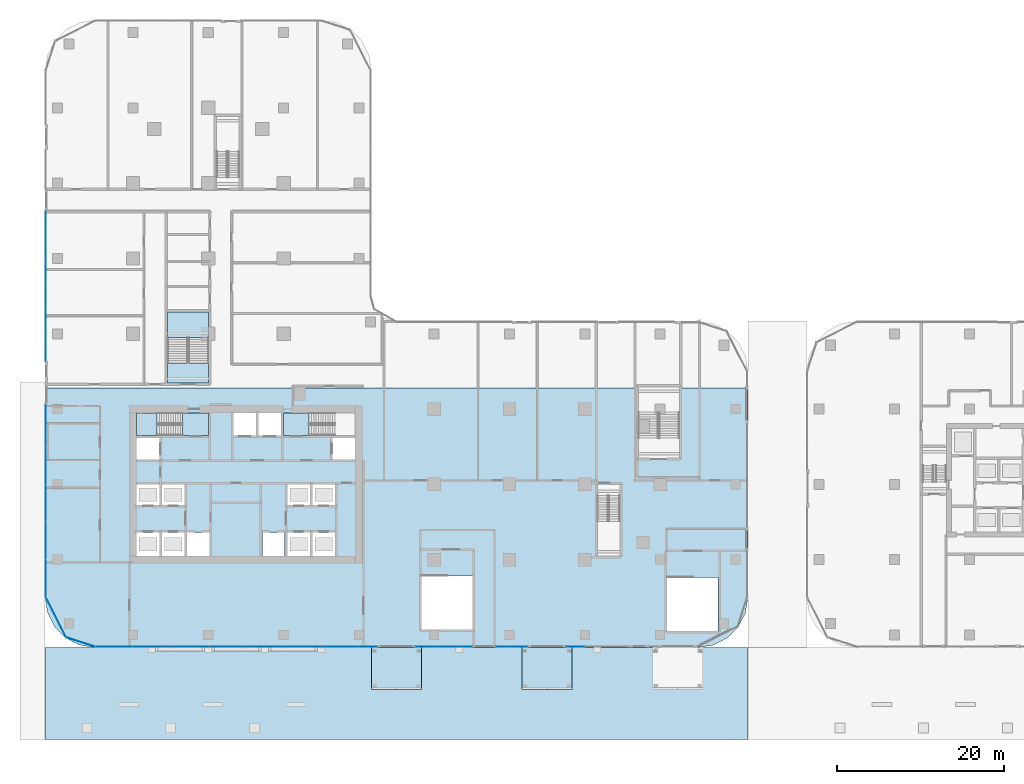
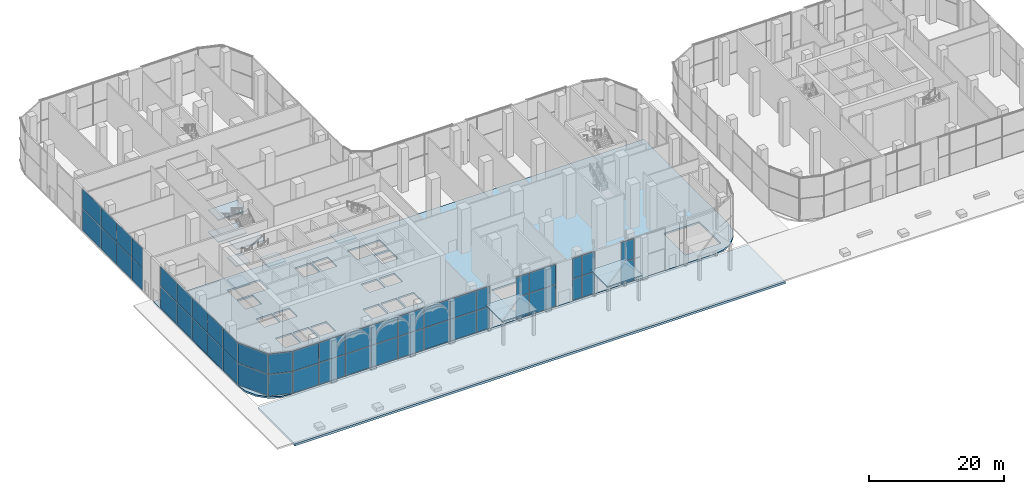
# One storey, part 22 of 54: 48 plates, 11 slabs, 10 elements without a shape of their own.
"""IFC4 building model written with IfcOpenShell, lengths in metres."""

from ifc_helpers import new_model, si_unit, direction, frame, origin, origin_2d, place, context, subcontext, project, spatial, polyline, rectangle, outline, extrude, material, layer, layer_set, type_object, element, aggregate, save


model = new_model("IFC4")

# Units and contexts
model_context = context("Model", 3, precision=1e-05, world=origin(), true_north=direction((0.0, 1.0)))
body_context = subcontext(model_context, "Body", "Model", "MODEL_VIEW")
ifc_project = project(units=[si_unit("LENGTHUNIT", "METRE"), si_unit("AREAUNIT", "SQUARE_METRE"), si_unit("VOLUMEUNIT", "CUBIC_METRE"), si_unit("PLANEANGLEUNIT", "RADIAN"), si_unit("MASSUNIT", "GRAM", prefix="KILO")], contexts=[model_context])

# Site, building, storey
site_placement = place(None, origin())
site = spatial("IfcSite", under=ifc_project, at=site_placement, CompositionType="ELEMENT")
building_placement = place(site_placement, origin())
building = spatial("IfcBuilding", under=site, at=building_placement, Name="Ogive Portal Towers", CompositionType="ELEMENT")
storey_placement = place(building_placement, origin())
storey = spatial("IfcBuildingStorey", under=building, at=storey_placement, Name="L00", CompositionType="ELEMENT", Elevation=0.0)

# Curtain wall, plates
ifc_material_1 = material(Name="Glass, clear low-iron insulated glazing", Category="glass")
curtain_wall_type = type_object("IfcCurtainWallType", Name="CW PODIUM SHOPFRONT", PredefinedType="NOTDEFINED", material=ifc_material_1)
curtain_wall_1_placement = place(storey_placement, origin())
curtain_wall_1 = element("IfcCurtainWall", 1, at=curtain_wall_1_placement, inside=storey, type_object=curtain_wall_type, Name="A:L00:f02:cw0", PredefinedType="NOTDEFINED")
ifc_layer_1 = layer(ifc_material_1, 0.028076171875)
ifc_layer_set_1 = layer_set([ifc_layer_1], Name="CW PANEL IGU 28")
plate_type = type_object("IfcPlateType", Name="CW PANEL IGU 28", PredefinedType="CURTAIN_PANEL", material=ifc_layer_set_1)
plate_1_placement = place(storey_placement, frame((29.25634765625, 11.080078125, 0.06005859375), z_axis=(0.0, 0.0, 1.0), x_axis=(1.0, 0.0, 0.0)))
plate_1 = element("IfcPlate", 2, at=plate_1_placement, type_object=plate_type, Name="panel", PredefinedType="CURTAIN_PANEL", context=body_context, shape_type="SweptSolid", body=[
    extrude(rectangle(XDim=4.42724609375, YDim=0.028076171875, at=origin_2d()), origin(), (0.0, 0.0, 1.0), 3.909912109375),
])
plate_2_placement = place(storey_placement, frame((29.25634765625, 11.080078125, 4.02978515625), z_axis=(0.0, 0.0, 1.0), x_axis=(1.0, 0.0, 0.0)))
plate_2 = element("IfcPlate", 3, at=plate_2_placement, type_object=plate_type, Name="panel", PredefinedType="CURTAIN_PANEL", context=body_context, shape_type="SweptSolid", body=[
    extrude(rectangle(XDim=4.42724609375, YDim=0.028076171875, at=origin_2d()), origin(), (0.0, 0.0, 1.0), 3.610107421875),
])
plate_3_placement = place(storey_placement, frame((33.75, 11.080078125, 0.06005859375), z_axis=(0.0, 0.0, 1.0), x_axis=(1.0, 0.0, 0.0)))
plate_3 = element("IfcPlate", 4, at=plate_3_placement, type_object=plate_type, Name="panel", PredefinedType="CURTAIN_PANEL", context=body_context, shape_type="SweptSolid", body=[
    extrude(rectangle(XDim=4.43994140625, YDim=0.028076171875, at=origin_2d()), origin(), (0.0, 0.0, 1.0), 3.909912109375),
])
plate_4_placement = place(storey_placement, frame((33.75, 11.080078125, 4.02978515625), z_axis=(0.0, 0.0, 1.0), x_axis=(1.0, 0.0, 0.0)))
plate_4 = element("IfcPlate", 5, at=plate_4_placement, type_object=plate_type, Name="panel", PredefinedType="CURTAIN_PANEL", context=body_context, shape_type="SweptSolid", body=[
    extrude(rectangle(XDim=4.43994140625, YDim=0.028076171875, at=origin_2d()), origin(), (0.0, 0.0, 1.0), 3.610107421875),
])
plate_5_placement = place(storey_placement, frame((38.25, 11.080078125, 0.06005859375), z_axis=(0.0, 0.0, 1.0), x_axis=(1.0, 0.0, 0.0)))
plate_5 = element("IfcPlate", 6, at=plate_5_placement, type_object=plate_type, Name="panel", PredefinedType="CURTAIN_PANEL", context=body_context, shape_type="SweptSolid", body=[
    extrude(rectangle(XDim=4.43994140625, YDim=0.028076171875, at=origin_2d()), origin(), (0.0, 0.0, 1.0), 3.909912109375),
])
plate_6_placement = place(storey_placement, frame((38.25, 11.080078125, 4.02978515625), z_axis=(0.0, 0.0, 1.0), x_axis=(1.0, 0.0, 0.0)))
plate_6 = element("IfcPlate", 7, at=plate_6_placement, type_object=plate_type, Name="panel", PredefinedType="CURTAIN_PANEL", context=body_context, shape_type="SweptSolid", body=[
    extrude(rectangle(XDim=4.43994140625, YDim=0.028076171875, at=origin_2d()), origin(), (0.0, 0.0, 1.0), 3.610107421875),
])
plate_7_placement = place(storey_placement, frame((42.75, 11.080078125, 0.06005859375), z_axis=(0.0, 0.0, 1.0), x_axis=(1.0, 0.0, 0.0)))
plate_7 = element("IfcPlate", 8, at=plate_7_placement, type_object=plate_type, Name="panel", PredefinedType="CURTAIN_PANEL", context=body_context, shape_type="SweptSolid", body=[
    extrude(rectangle(XDim=4.43994140625, YDim=0.028076171875, at=origin_2d()), origin(), (0.0, 0.0, 1.0), 3.909912109375),
])
plate_8_placement = place(storey_placement, frame((42.75, 11.080078125, 4.02978515625), z_axis=(0.0, 0.0, 1.0), x_axis=(1.0, 0.0, 0.0)))
plate_8 = element("IfcPlate", 9, at=plate_8_placement, type_object=plate_type, Name="panel", PredefinedType="CURTAIN_PANEL", context=body_context, shape_type="SweptSolid", body=[
    extrude(rectangle(XDim=4.43994140625, YDim=0.028076171875, at=origin_2d()), origin(), (0.0, 0.0, 1.0), 3.610107421875),
])
plate_9_placement = place(storey_placement, frame((47.25, 11.080078125, 0.06005859375), z_axis=(0.0, 0.0, 1.0), x_axis=(1.0, 0.0, 0.0)))
plate_9 = element("IfcPlate", 10, at=plate_9_placement, type_object=plate_type, Name="panel", PredefinedType="CURTAIN_PANEL", context=body_context, shape_type="SweptSolid", body=[
    extrude(rectangle(XDim=4.43994140625, YDim=0.028076171875, at=origin_2d()), origin(), (0.0, 0.0, 1.0), 3.909912109375),
])
plate_10_placement = place(storey_placement, frame((47.25, 11.080078125, 4.02978515625), z_axis=(0.0, 0.0, 1.0), x_axis=(1.0, 0.0, 0.0)))
plate_10 = element("IfcPlate", 11, at=plate_10_placement, type_object=plate_type, Name="panel", PredefinedType="CURTAIN_PANEL", context=body_context, shape_type="SweptSolid", body=[
    extrude(rectangle(XDim=4.43994140625, YDim=0.028076171875, at=origin_2d()), origin(), (0.0, 0.0, 1.0), 3.610107421875),
])
plate_11_placement = place(storey_placement, frame((51.75, 11.080078125, 0.06005859375), z_axis=(0.0, 0.0, 1.0), x_axis=(1.0, 0.0, 0.0)))
plate_11 = element("IfcPlate", 12, at=plate_11_placement, type_object=plate_type, Name="panel", PredefinedType="CURTAIN_PANEL", context=body_context, shape_type="SweptSolid", body=[
    extrude(rectangle(XDim=4.43994140625, YDim=0.028076171875, at=origin_2d()), origin(), (0.0, 0.0, 1.0), 3.909912109375),
])
plate_12_placement = place(storey_placement, frame((51.75, 11.080078125, 4.02978515625), z_axis=(0.0, 0.0, 1.0), x_axis=(1.0, 0.0, 0.0)))
plate_12 = element("IfcPlate", 13, at=plate_12_placement, type_object=plate_type, Name="panel", PredefinedType="CURTAIN_PANEL", context=body_context, shape_type="SweptSolid", body=[
    extrude(rectangle(XDim=4.43994140625, YDim=0.028076171875, at=origin_2d()), origin(), (0.0, 0.0, 1.0), 3.610107421875),
])
plate_13_placement = place(storey_placement, frame((56.25, 11.080078125, 0.06005859375), z_axis=(0.0, 0.0, 1.0), x_axis=(1.0, 0.0, 0.0)))
plate_13 = element("IfcPlate", 14, at=plate_13_placement, type_object=plate_type, Name="panel", PredefinedType="CURTAIN_PANEL", context=body_context, shape_type="SweptSolid", body=[
    extrude(rectangle(XDim=4.43994140625, YDim=0.028076171875, at=origin_2d()), origin(), (0.0, 0.0, 1.0), 3.909912109375),
])
plate_14_placement = place(storey_placement, frame((56.25, 11.080078125, 4.02978515625), z_axis=(0.0, 0.0, 1.0), x_axis=(1.0, 0.0, 0.0)))
plate_14 = element("IfcPlate", 15, at=plate_14_placement, type_object=plate_type, Name="panel", PredefinedType="CURTAIN_PANEL", context=body_context, shape_type="SweptSolid", body=[
    extrude(rectangle(XDim=4.43994140625, YDim=0.028076171875, at=origin_2d()), origin(), (0.0, 0.0, 1.0), 3.610107421875),
])
plate_15_placement = place(storey_placement, frame((59.623779296875, 11.080078125, 0.06005859375), z_axis=(0.0, 0.0, 1.0), x_axis=(1.0, 0.0, 0.0)))
plate_15 = element("IfcPlate", 16, at=plate_15_placement, type_object=plate_type, Name="panel", PredefinedType="CURTAIN_PANEL", context=body_context, shape_type="SweptSolid", body=[
    extrude(rectangle(XDim=2.187744140625, YDim=0.028076171875, at=origin_2d()), origin(), (0.0, 0.0, 1.0), 3.909912109375),
])
plate_16_placement = place(storey_placement, frame((59.623779296875, 11.080078125, 4.02978515625), z_axis=(0.0, 0.0, 1.0), x_axis=(1.0, 0.0, 0.0)))
plate_16 = element("IfcPlate", 17, at=plate_16_placement, type_object=plate_type, Name="panel", PredefinedType="CURTAIN_PANEL", context=body_context, shape_type="SweptSolid", body=[
    extrude(rectangle(XDim=2.187744140625, YDim=0.028076171875, at=origin_2d()), origin(), (0.0, 0.0, 1.0), 3.610107421875),
])
aggregate(curtain_wall_1, [plate_1, plate_2, plate_3, plate_4, plate_5, plate_6, plate_7, plate_8, plate_9, plate_10, plate_11, plate_12, plate_13, plate_14, plate_15, plate_16])

curtain_wall_2_placement = place(storey_placement, origin())
curtain_wall_2 = element("IfcCurtainWall", 18, at=curtain_wall_2_placement, inside=storey, type_object=curtain_wall_type, Name="A:L00:f02:cw1", PredefinedType="NOTDEFINED")
plate_17_placement = place(storey_placement, frame((66.372802734375, 11.080078125, 0.06005859375), z_axis=(0.0, 0.0, 1.0), x_axis=(1.0, 0.0, 0.0)))
plate_17 = element("IfcPlate", 19, at=plate_17_placement, type_object=plate_type, Name="panel", PredefinedType="CURTAIN_PANEL", context=body_context, shape_type="SweptSolid", body=[
    extrude(rectangle(XDim=2.1943359375, YDim=0.028076171875, at=origin_2d()), origin(), (0.0, 0.0, 1.0), 3.909912109375),
])
plate_18_placement = place(storey_placement, frame((66.372802734375, 11.080078125, 4.02978515625), z_axis=(0.0, 0.0, 1.0), x_axis=(1.0, 0.0, 0.0)))
plate_18 = element("IfcPlate", 20, at=plate_18_placement, type_object=plate_type, Name="panel", PredefinedType="CURTAIN_PANEL", context=body_context, shape_type="SweptSolid", body=[
    extrude(rectangle(XDim=2.1943359375, YDim=0.028076171875, at=origin_2d()), origin(), (0.0, 0.0, 1.0), 3.610107421875),
])
plate_19_placement = place(storey_placement, frame((69.79638671875, 11.080078125, 0.06005859375), z_axis=(0.0, 0.0, 1.0), x_axis=(1.0, 0.0, 0.0)))
plate_19 = element("IfcPlate", 21, at=plate_19_placement, type_object=plate_type, Name="panel", PredefinedType="CURTAIN_PANEL", context=body_context, shape_type="SweptSolid", body=[
    extrude(rectangle(XDim=4.53271484375, YDim=0.028076171875, at=origin_2d()), origin(), (0.0, 0.0, 1.0), 3.909912109375),
])
plate_20_placement = place(storey_placement, frame((69.79638671875, 11.080078125, 4.02978515625), z_axis=(0.0, 0.0, 1.0), x_axis=(1.0, 0.0, 0.0)))
plate_20 = element("IfcPlate", 22, at=plate_20_placement, type_object=plate_type, Name="panel", PredefinedType="CURTAIN_PANEL", context=body_context, shape_type="SweptSolid", body=[
    extrude(rectangle(XDim=4.53271484375, YDim=0.028076171875, at=origin_2d()), origin(), (0.0, 0.0, 1.0), 3.610107421875),
])
aggregate(curtain_wall_2, [plate_17, plate_18, plate_19, plate_20])

curtain_wall_3_placement = place(storey_placement, origin())
curtain_wall_3 = element("IfcCurtainWall", 23, at=curtain_wall_3_placement, inside=storey, type_object=curtain_wall_type, Name="A:L00:f02:cw2", PredefinedType="NOTDEFINED")
plate_21_placement = place(storey_placement, frame((75.69580078125, 11.080078125, 0.06005859375), z_axis=(0.0, 0.0, 1.0), x_axis=(1.0, 0.0, 0.0)))
plate_21 = element("IfcPlate", 24, at=plate_21_placement, type_object=plate_type, Name="panel", PredefinedType="CURTAIN_PANEL", context=body_context, shape_type="SweptSolid", body=[
    extrude(rectangle(XDim=1.548583984375, YDim=0.028076171875, at=origin_2d()), origin(), (0.0, 0.0, 1.0), 3.909912109375),
])
plate_22_placement = place(storey_placement, frame((75.69580078125, 11.080078125, 4.02978515625), z_axis=(0.0, 0.0, 1.0), x_axis=(1.0, 0.0, 0.0)))
plate_22 = element("IfcPlate", 25, at=plate_22_placement, type_object=plate_type, Name="panel", PredefinedType="CURTAIN_PANEL", context=body_context, shape_type="SweptSolid", body=[
    extrude(rectangle(XDim=1.548583984375, YDim=0.028076171875, at=origin_2d()), origin(), (0.0, 0.0, 1.0), 3.610107421875),
])
plate_23_placement = place(storey_placement, frame((77.619873046875, 11.080078125, 0.06005859375), z_axis=(0.0, 0.0, 1.0), x_axis=(1.0, 0.0, 0.0)))
plate_23 = element("IfcPlate", 26, at=plate_23_placement, type_object=plate_type, Name="panel", PredefinedType="CURTAIN_PANEL", context=body_context, shape_type="SweptSolid", body=[
    extrude(rectangle(XDim=2.1796875, YDim=0.028076171875, at=origin_2d()), origin(), (0.0, 0.0, 1.0), 3.909912109375),
])
plate_24_placement = place(storey_placement, frame((77.619873046875, 11.080078125, 4.02978515625), z_axis=(0.0, 0.0, 1.0), x_axis=(1.0, 0.0, 0.0)))
plate_24 = element("IfcPlate", 27, at=plate_24_placement, type_object=plate_type, Name="panel", PredefinedType="CURTAIN_PANEL", context=body_context, shape_type="SweptSolid", body=[
    extrude(rectangle(XDim=2.1796875, YDim=0.028076171875, at=origin_2d()), origin(), (0.0, 0.0, 1.0), 3.610107421875),
])
aggregate(curtain_wall_3, [plate_21, plate_22, plate_23, plate_24])

curtain_wall_4_placement = place(storey_placement, origin())
curtain_wall_4 = element("IfcCurtainWall", 28, at=curtain_wall_4_placement, inside=storey, type_object=curtain_wall_type, Name="A:L00:f02:cw3", PredefinedType="NOTDEFINED")
plate_25_placement = place(storey_placement, frame((84.368896484375, 11.080078125, 0.06005859375), z_axis=(0.0, 0.0, 1.0), x_axis=(1.0, 0.0, 0.0)))
plate_25 = element("IfcPlate", 29, at=plate_25_placement, type_object=plate_type, Name="panel", PredefinedType="CURTAIN_PANEL", context=body_context, shape_type="SweptSolid", body=[
    extrude(rectangle(XDim=2.2021484375, YDim=0.028076171875, at=origin_2d()), origin(), (0.0, 0.0, 1.0), 3.909912109375),
])
plate_26_placement = place(storey_placement, frame((84.368896484375, 11.080078125, 4.02978515625), z_axis=(0.0, 0.0, 1.0), x_axis=(1.0, 0.0, 0.0)))
plate_26 = element("IfcPlate", 30, at=plate_26_placement, type_object=plate_type, Name="panel", PredefinedType="CURTAIN_PANEL", context=body_context, shape_type="SweptSolid", body=[
    extrude(rectangle(XDim=2.2021484375, YDim=0.028076171875, at=origin_2d()), origin(), (0.0, 0.0, 1.0), 3.610107421875),
])
aggregate(curtain_wall_4, [plate_25, plate_26])

curtain_wall_5_placement = place(storey_placement, origin())
curtain_wall_5 = element("IfcCurtainWall", 31, at=curtain_wall_5_placement, inside=storey, type_object=curtain_wall_type, Name="A:L00:f17:cw2", PredefinedType="NOTDEFINED")
plate_27_placement = place(storey_placement, frame((21.080078125, 60.322998046875, 0.06005859375), z_axis=(0.0, 0.0, 1.0), x_axis=(0.0, -1.0, 0.0)))
plate_27 = element("IfcPlate", 32, at=plate_27_placement, type_object=plate_type, Name="panel", PredefinedType="CURTAIN_PANEL", context=body_context, shape_type="SweptSolid", body=[
    extrude(rectangle(XDim=5.5859375, YDim=0.028076171875, at=origin_2d()), origin(), (0.0, 0.0, 1.0), 3.909912109375),
])
plate_28_placement = place(storey_placement, frame((21.080078125, 60.322998046875, 4.02978515625), z_axis=(0.0, 0.0, 1.0), x_axis=(0.0, -1.0, 0.0)))
plate_28 = element("IfcPlate", 33, at=plate_28_placement, type_object=plate_type, Name="panel", PredefinedType="CURTAIN_PANEL", context=body_context, shape_type="SweptSolid", body=[
    extrude(rectangle(XDim=5.5859375, YDim=0.028076171875, at=origin_2d()), origin(), (0.0, 0.0, 1.0), 3.610107421875),
])
plate_29_placement = place(storey_placement, frame((21.080078125, 55.25, 0.06005859375), z_axis=(0.0, 0.0, 1.0), x_axis=(0.0, -1.0, 0.0)))
plate_29 = element("IfcPlate", 34, at=plate_29_placement, type_object=plate_type, Name="panel", PredefinedType="CURTAIN_PANEL", context=body_context, shape_type="SweptSolid", body=[
    extrude(rectangle(XDim=4.43994140625, YDim=0.028076171875, at=origin_2d()), origin(), (0.0, 0.0, 1.0), 3.909912109375),
])
plate_30_placement = place(storey_placement, frame((21.080078125, 55.25, 4.02978515625), z_axis=(0.0, 0.0, 1.0), x_axis=(0.0, -1.0, 0.0)))
plate_30 = element("IfcPlate", 35, at=plate_30_placement, type_object=plate_type, Name="panel", PredefinedType="CURTAIN_PANEL", context=body_context, shape_type="SweptSolid", body=[
    extrude(rectangle(XDim=4.43994140625, YDim=0.028076171875, at=origin_2d()), origin(), (0.0, 0.0, 1.0), 3.610107421875),
])
plate_31_placement = place(storey_placement, frame((21.080078125, 50.75, 0.06005859375), z_axis=(0.0, 0.0, 1.0), x_axis=(0.0, -1.0, 0.0)))
plate_31 = element("IfcPlate", 36, at=plate_31_placement, type_object=plate_type, Name="panel", PredefinedType="CURTAIN_PANEL", context=body_context, shape_type="SweptSolid", body=[
    extrude(rectangle(XDim=4.43994140625, YDim=0.028076171875, at=origin_2d()), origin(), (0.0, 0.0, 1.0), 3.909912109375),
])
plate_32_placement = place(storey_placement, frame((21.080078125, 50.75, 4.02978515625), z_axis=(0.0, 0.0, 1.0), x_axis=(0.0, -1.0, 0.0)))
plate_32 = element("IfcPlate", 37, at=plate_32_placement, type_object=plate_type, Name="panel", PredefinedType="CURTAIN_PANEL", context=body_context, shape_type="SweptSolid", body=[
    extrude(rectangle(XDim=4.43994140625, YDim=0.028076171875, at=origin_2d()), origin(), (0.0, 0.0, 1.0), 3.610107421875),
])
plate_33_placement = place(storey_placement, frame((21.080078125, 46.8525390625, 0.06005859375), z_axis=(0.0, 0.0, 1.0), x_axis=(0.0, -1.0, 0.0)))
plate_33 = element("IfcPlate", 38, at=plate_33_placement, type_object=plate_type, Name="panel", PredefinedType="CURTAIN_PANEL", context=body_context, shape_type="SweptSolid", body=[
    extrude(rectangle(XDim=3.235107421875, YDim=0.028076171875, at=origin_2d()), origin(), (0.0, 0.0, 1.0), 3.909912109375),
])
plate_34_placement = place(storey_placement, frame((21.080078125, 46.8525390625, 4.02978515625), z_axis=(0.0, 0.0, 1.0), x_axis=(0.0, -1.0, 0.0)))
plate_34 = element("IfcPlate", 39, at=plate_34_placement, type_object=plate_type, Name="panel", PredefinedType="CURTAIN_PANEL", context=body_context, shape_type="SweptSolid", body=[
    extrude(rectangle(XDim=3.235107421875, YDim=0.028076171875, at=origin_2d()), origin(), (0.0, 0.0, 1.0), 3.610107421875),
])
aggregate(curtain_wall_5, [plate_27, plate_28, plate_29, plate_30, plate_31, plate_32, plate_33, plate_34])

curtain_wall_6_placement = place(storey_placement, origin())
curtain_wall_6 = element("IfcCurtainWall", 40, at=curtain_wall_6_placement, inside=storey, type_object=curtain_wall_type, Name="A:L00:f17:cw3", PredefinedType="NOTDEFINED")
plate_35_placement = place(storey_placement, frame((21.080078125, 37.52880859375, 0.06005859375), z_axis=(0.0, 0.0, 1.0), x_axis=(0.0, -1.0, 0.0)))
plate_35 = element("IfcPlate", 41, at=plate_35_placement, type_object=plate_type, Name="panel", PredefinedType="CURTAIN_PANEL", context=body_context, shape_type="SweptSolid", body=[
    extrude(rectangle(XDim=4.99755859375, YDim=0.028076171875, at=origin_2d()), origin(), (0.0, 0.0, 1.0), 3.909912109375),
])
plate_36_placement = place(storey_placement, frame((21.080078125, 37.52880859375, 4.02978515625), z_axis=(0.0, 0.0, 1.0), x_axis=(0.0, -1.0, 0.0)))
plate_36 = element("IfcPlate", 42, at=plate_36_placement, type_object=plate_type, Name="panel", PredefinedType="CURTAIN_PANEL", context=body_context, shape_type="SweptSolid", body=[
    extrude(rectangle(XDim=4.99755859375, YDim=0.028076171875, at=origin_2d()), origin(), (0.0, 0.0, 1.0), 3.610107421875),
])
plate_37_placement = place(storey_placement, frame((21.080078125, 32.75, 0.06005859375), z_axis=(0.0, 0.0, 1.0), x_axis=(0.0, -1.0, 0.0)))
plate_37 = element("IfcPlate", 43, at=plate_37_placement, type_object=plate_type, Name="panel", PredefinedType="CURTAIN_PANEL", context=body_context, shape_type="SweptSolid", body=[
    extrude(rectangle(XDim=4.43994140625, YDim=0.028076171875, at=origin_2d()), origin(), (0.0, 0.0, 1.0), 3.909912109375),
])
plate_38_placement = place(storey_placement, frame((21.080078125, 32.75, 4.02978515625), z_axis=(0.0, 0.0, 1.0), x_axis=(0.0, -1.0, 0.0)))
plate_38 = element("IfcPlate", 44, at=plate_38_placement, type_object=plate_type, Name="panel", PredefinedType="CURTAIN_PANEL", context=body_context, shape_type="SweptSolid", body=[
    extrude(rectangle(XDim=4.43994140625, YDim=0.028076171875, at=origin_2d()), origin(), (0.0, 0.0, 1.0), 3.610107421875),
])
plate_39_placement = place(storey_placement, frame((21.080078125, 28.25, 0.06005859375), z_axis=(0.0, 0.0, 1.0), x_axis=(0.0, -1.0, 0.0)))
plate_39 = element("IfcPlate", 45, at=plate_39_placement, type_object=plate_type, Name="panel", PredefinedType="CURTAIN_PANEL", context=body_context, shape_type="SweptSolid", body=[
    extrude(rectangle(XDim=4.43994140625, YDim=0.028076171875, at=origin_2d()), origin(), (0.0, 0.0, 1.0), 3.909912109375),
])
plate_40_placement = place(storey_placement, frame((21.080078125, 28.25, 4.02978515625), z_axis=(0.0, 0.0, 1.0), x_axis=(0.0, -1.0, 0.0)))
plate_40 = element("IfcPlate", 46, at=plate_40_placement, type_object=plate_type, Name="panel", PredefinedType="CURTAIN_PANEL", context=body_context, shape_type="SweptSolid", body=[
    extrude(rectangle(XDim=4.43994140625, YDim=0.028076171875, at=origin_2d()), origin(), (0.0, 0.0, 1.0), 3.610107421875),
])
plate_41_placement = place(storey_placement, frame((21.080078125, 23.75, 0.06005859375), z_axis=(0.0, 0.0, 1.0), x_axis=(0.0, -1.0, 0.0)))
plate_41 = element("IfcPlate", 47, at=plate_41_placement, type_object=plate_type, Name="panel", PredefinedType="CURTAIN_PANEL", context=body_context, shape_type="SweptSolid", body=[
    extrude(rectangle(XDim=4.43994140625, YDim=0.028076171875, at=origin_2d()), origin(), (0.0, 0.0, 1.0), 3.909912109375),
])
plate_42_placement = place(storey_placement, frame((21.080078125, 23.75, 4.02978515625), z_axis=(0.0, 0.0, 1.0), x_axis=(0.0, -1.0, 0.0)))
plate_42 = element("IfcPlate", 48, at=plate_42_placement, type_object=plate_type, Name="panel", PredefinedType="CURTAIN_PANEL", context=body_context, shape_type="SweptSolid", body=[
    extrude(rectangle(XDim=4.43994140625, YDim=0.028076171875, at=origin_2d()), origin(), (0.0, 0.0, 1.0), 3.610107421875),
])
plate_43_placement = place(storey_placement, frame((21.080078125, 19.259521484375, 0.06005859375), z_axis=(0.0, 0.0, 1.0), x_axis=(0.0, -1.0, 0.0)))
plate_43 = element("IfcPlate", 49, at=plate_43_placement, type_object=plate_type, Name="panel", PredefinedType="CURTAIN_PANEL", context=body_context, shape_type="SweptSolid", body=[
    extrude(rectangle(XDim=4.4208984375, YDim=0.028076171875, at=origin_2d()), origin(), (0.0, 0.0, 1.0), 3.909912109375),
])
plate_44_placement = place(storey_placement, frame((21.080078125, 19.259521484375, 4.02978515625), z_axis=(0.0, 0.0, 1.0), x_axis=(0.0, -1.0, 0.0)))
plate_44 = element("IfcPlate", 50, at=plate_44_placement, type_object=plate_type, Name="panel", PredefinedType="CURTAIN_PANEL", context=body_context, shape_type="SweptSolid", body=[
    extrude(rectangle(XDim=4.4208984375, YDim=0.028076171875, at=origin_2d()), origin(), (0.0, 0.0, 1.0), 3.610107421875),
])
aggregate(curtain_wall_6, [plate_35, plate_36, plate_37, plate_38, plate_39, plate_40, plate_41, plate_42, plate_43, plate_44])

curtain_wall_7_placement = place(storey_placement, origin())
curtain_wall_7 = element("IfcCurtainWall", 51, at=curtain_wall_7_placement, inside=storey, type_object=curtain_wall_type, Name="A:L00:f00:cwa", PredefinedType="NOTDEFINED")
plate_45_placement = place(storey_placement, frame((22.3046875, 14.615478515625, 0.06005859375), z_axis=(0.0, 0.0, 1.0), x_axis=(0.45399049974, -0.891006524188, 0.0)))
plate_45 = element("IfcPlate", 52, at=plate_45_placement, type_object=plate_type, Name="panel", PredefinedType="CURTAIN_PANEL", context=body_context, shape_type="SweptSolid", body=[
    extrude(rectangle(XDim=5.33544921875, YDim=0.028076171875, at=origin_2d()), origin(), (0.0, 0.0, 1.0), 3.909912109375),
])
plate_46_placement = place(storey_placement, frame((22.3046875, 14.615478515625, 4.02978515625), z_axis=(0.0, 0.0, 1.0), x_axis=(0.45399049974, -0.891006524188, 0.0)))
plate_46 = element("IfcPlate", 53, at=plate_46_placement, type_object=plate_type, Name="panel", PredefinedType="CURTAIN_PANEL", context=body_context, shape_type="SweptSolid", body=[
    extrude(rectangle(XDim=5.33544921875, YDim=0.028076171875, at=origin_2d()), origin(), (0.0, 0.0, 1.0), 3.610107421875),
])
plate_47_placement = place(storey_placement, frame((25.27099609375, 11.645751953125, 0.06005859375), z_axis=(0.0, 0.0, 1.0), x_axis=(0.951056516295, -0.309016994375, 0.0)))
plate_47 = element("IfcPlate", 54, at=plate_47_placement, type_object=plate_type, Name="panel", PredefinedType="CURTAIN_PANEL", context=body_context, shape_type="SweptSolid", body=[
    extrude(rectangle(XDim=3.602294921875, YDim=0.028076171875, at=origin_2d()), origin(), (0.0, 0.0, 1.0), 3.909912109375),
])
plate_48_placement = place(storey_placement, frame((25.27099609375, 11.645751953125, 4.02978515625), z_axis=(0.0, 0.0, 1.0), x_axis=(0.951056516295, -0.309016994375, 0.0)))
plate_48 = element("IfcPlate", 55, at=plate_48_placement, type_object=plate_type, Name="panel", PredefinedType="CURTAIN_PANEL", context=body_context, shape_type="SweptSolid", body=[
    extrude(rectangle(XDim=3.602294921875, YDim=0.028076171875, at=origin_2d()), origin(), (0.0, 0.0, 1.0), 3.610107421875),
])
aggregate(curtain_wall_7, [plate_45, plate_46, plate_47, plate_48])

# Stair, slabs
ifc_material_2 = material(Name="Concrete C40/50", Category="concrete")
stair_type = type_object("IfcStairType", Name="INT-STAIR", PredefinedType="HALF_TURN_STAIR", material=ifc_material_2)
stair_1_placement = place(storey_placement, origin())
stair_1 = element("IfcStair", 56, at=stair_1_placement, inside=storey, type_object=stair_type, Name="L00 Exit Stair ST-A1", PredefinedType="HALF_TURN_STAIR")
ifc_layer_2 = layer(ifc_material_2, 0.199951171875)
ifc_layer_set_2 = layer_set([ifc_layer_2], Name="INT-LANDING")
slab_type_1 = type_object("IfcSlabType", Name="INT-LANDING", PredefinedType="LANDING", material=ifc_layer_set_2)
slab_1_placement = place(storey_placement, frame((0.0, 0.0, 1.800048828125)))
slab_1 = element("IfcSlab", 57, at=slab_1_placement, type_object=slab_type_1, Name="ST-A1 landing 1", PredefinedType="LANDING", context=body_context, shape_type="SweptSolid", body=[
    extrude(outline(polyline([(34.3701171875, 39.050048828125), (31.949951171875, 39.050048828125), (31.949951171875, 36.35009765625), (34.3701171875, 36.35009765625), (34.3701171875, 39.050048828125)])), origin(), (0.0, 0.0, 1.0), 0.199951171875),
])
slab_2_placement = place(storey_placement, frame((0.0, 0.0, 3.800048828125)))
slab_2 = element("IfcSlab", 58, at=slab_2_placement, type_object=slab_type_1, Name="ST-A1 landing 2", PredefinedType="LANDING", context=body_context, shape_type="SweptSolid", body=[
    extrude(outline(polyline([(40.5, 39.050048828125), (37.449951171875, 39.050048828125), (37.449951171875, 36.35009765625), (40.5, 36.35009765625), (40.5, 39.050048828125)])), origin(), (0.0, 0.0, 1.0), 0.199951171875),
])
slab_3_placement = place(storey_placement, frame((0.0, 0.0, 5.800048828125)))
slab_3 = element("IfcSlab", 59, at=slab_3_placement, type_object=slab_type_1, Name="ST-A1 landing 3", PredefinedType="LANDING", context=body_context, shape_type="SweptSolid", body=[
    extrude(outline(polyline([(34.3701171875, 39.050048828125), (31.949951171875, 39.050048828125), (31.949951171875, 36.35009765625), (34.3701171875, 36.35009765625), (34.3701171875, 39.050048828125)])), origin(), (0.0, 0.0, 1.0), 0.199951171875),
])
aggregate(stair_1, [slab_1, slab_2, slab_3])

# Stair, slab
stair_2_placement = place(storey_placement, origin())
stair_2 = element("IfcStair", 60, at=stair_2_placement, inside=storey, type_object=stair_type, Name="L00 Exit Stair ST-A2", PredefinedType="HALF_TURN_STAIR")
slab_4_placement = place(storey_placement, frame((0.0, 0.0, 3.800048828125)))
slab_4 = element("IfcSlab", 61, at=slab_4_placement, type_object=slab_type_1, Name="ST-A2 landing 2", PredefinedType="LANDING", context=body_context, shape_type="SweptSolid", body=[
    extrude(outline(polyline([(49.5, 36.35009765625), (52.550048828125, 36.35009765625), (52.550048828125, 39.050048828125), (49.5, 39.050048828125), (49.5, 36.35009765625)])), origin(), (0.0, 0.0, 1.0), 0.199951171875),
])
aggregate(stair_2, [slab_4])

# Stair, slabs
stair_3_placement = place(storey_placement, origin())
stair_3 = element("IfcStair", 62, at=stair_3_placement, inside=storey, type_object=stair_type, Name="L00 Exit Stair ST-P2", PredefinedType="HALF_TURN_STAIR")
slab_5_placement = place(storey_placement, frame((0.0, 0.0, 1.800048828125)))
slab_5 = element("IfcSlab", 63, at=slab_5_placement, type_object=slab_type_1, Name="ST-P2 landing 1", PredefinedType="LANDING", context=body_context, shape_type="SweptSolid", body=[
    extrude(outline(polyline([(40.550048828125, 48.080078125), (40.550048828125, 51.10009765625), (35.64990234375, 51.10009765625), (35.64990234375, 48.080078125), (40.550048828125, 48.080078125)])), origin(), (0.0, 0.0, 1.0), 0.199951171875),
])
slab_6_placement = place(storey_placement, frame((0.0, 0.0, 3.800048828125)))
slab_6 = element("IfcSlab", 64, at=slab_6_placement, type_object=slab_type_1, Name="ST-P2 landing 2", PredefinedType="LANDING", context=body_context, shape_type="SweptSolid", body=[
    extrude(outline(polyline([(40.550048828125, 42.60009765625), (40.550048828125, 45.0), (35.64990234375, 45.0), (35.64990234375, 42.60009765625), (40.550048828125, 42.60009765625)])), origin(), (0.0, 0.0, 1.0), 0.199951171875),
])
slab_7_placement = place(storey_placement, frame((0.0, 0.0, 5.800048828125)))
slab_7 = element("IfcSlab", 65, at=slab_7_placement, type_object=slab_type_1, Name="ST-P2 landing 3", PredefinedType="LANDING", context=body_context, shape_type="SweptSolid", body=[
    extrude(outline(polyline([(40.550048828125, 48.080078125), (40.550048828125, 51.10009765625), (35.64990234375, 51.10009765625), (35.64990234375, 48.080078125), (40.550048828125, 48.080078125)])), origin(), (0.0, 0.0, 1.0), 0.199951171875),
])
aggregate(stair_3, [slab_5, slab_6, slab_7])

# Slabs
ifc_material_3 = material(Name="Concrete C60/75", Category="concrete")
ifc_layer_3 = layer(ifc_material_3, 0.25)
ifc_layer_set_3 = layer_set([ifc_layer_3], Name="PORCH CANOPY SLAB 250")
slab_type_2 = type_object("IfcSlabType", Name="PORCH CANOPY SLAB 250", PredefinedType="ROOF", material=ifc_layer_set_3)
slab_8_placement = place(storey_placement, frame((0.0, 0.0, 4.35009765625)))
element("IfcSlab", 66, at=slab_8_placement, inside=storey, type_object=slab_type_2, Name="Porch canopy PCS1", PredefinedType="ROOF", context=body_context, shape_type="SweptSolid", body=[
    extrude(outline(polyline([(60.0, 6.0), (66.0, 6.0), (66.0, 11.0), (60.0, 11.0), (60.0, 6.0)])), origin(), (0.0, 0.0, 1.0), 0.25),
])
slab_9_placement = place(storey_placement, frame((0.0, 0.0, 4.35009765625)))
element("IfcSlab", 67, at=slab_9_placement, inside=storey, type_object=slab_type_2, Name="Porch canopy PCS2", PredefinedType="ROOF", context=body_context, shape_type="SweptSolid", body=[
    extrude(outline(polyline([(78.0, 6.0), (84.0, 6.0), (84.0, 11.0), (78.0, 11.0), (78.0, 6.0)])), origin(), (0.0, 0.0, 1.0), 0.25),
])
ifc_material_4 = material(Name="Concrete C45/55", Category="concrete")
ifc_layer_4 = layer(ifc_material_4, 0.300048828125)
ifc_layer_set_4 = layer_set([ifc_layer_4], Name="PT FLAT PLATE 300")
slab_type_3 = type_object("IfcSlabType", Name="PT FLAT PLATE 300", PredefinedType="FLOOR", material=ifc_layer_set_4)
slab_10_placement = place(storey_placement, frame((0.0, 0.0, -0.300048828125)))
element("IfcSlab", 68, at=slab_10_placement, inside=storey, type_object=slab_type_3, Name="Floor slab L00", PredefinedType="FLOOR", context=body_context, shape_type="SweptSolid", body=[
    extrude(outline(polyline([(103.85400390625, 13.473388671875), (104.706298828125, 15.14599609375), (105.0, 17.0), (105.0, 42.0), (21.0, 42.0), (21.0, 17.0), (21.293701171875, 15.14599609375), (22.14599609375, 13.473388671875), (23.473388671875, 12.14599609375), (25.14599609375, 11.293701171875), (27.0, 11.0), (99.0, 11.0), (100.85400390625, 11.293701171875), (102.526611328125, 12.14599609375), (103.85400390625, 13.473388671875)]), holes=[polyline([(34.64990234375, 24.75), (34.64990234375, 21.949951171875), (31.949951171875, 21.949951171875), (31.949951171875, 24.75), (34.64990234375, 24.75)]), polyline([(37.64990234375, 24.75), (37.64990234375, 21.949951171875), (34.949951171875, 21.949951171875), (34.949951171875, 24.75), (37.64990234375, 24.75)]), polyline([(40.6298828125, 21.969970703125), (37.969970703125, 21.969970703125), (37.969970703125, 24.72998046875), (40.6298828125, 24.72998046875), (40.6298828125, 21.969970703125)]), polyline([(34.64990234375, 30.5), (34.64990234375, 28.050048828125), (31.949951171875, 28.050048828125), (31.949951171875, 30.5), (34.64990234375, 30.5)]), polyline([(37.64990234375, 30.5), (37.64990234375, 28.050048828125), (34.949951171875, 28.050048828125), (34.949951171875, 30.5), (37.64990234375, 30.5)]), polyline([(34.64990234375, 36.050048828125), (34.64990234375, 33.5), (31.949951171875, 33.5), (31.949951171875, 36.050048828125), (34.64990234375, 36.050048828125)]), polyline([(31.951904296875, 39.048095703125), (37.447998046875, 39.048095703125), (37.447998046875, 36.35205078125), (31.951904296875, 36.35205078125), (31.951904296875, 39.048095703125)]), polyline([(46.199951171875, 36.35009765625), (43.5, 36.35009765625), (43.5, 39.050048828125), (46.199951171875, 39.050048828125), (46.199951171875, 36.35009765625)]), polyline([(49.199951171875, 36.35009765625), (46.5, 36.35009765625), (46.5, 39.050048828125), (49.199951171875, 39.050048828125), (49.199951171875, 36.35009765625)]), polyline([(95.35205078125, 13.001953125), (95.35205078125, 19.39794921875), (101.447998046875, 19.39794921875), (101.447998046875, 13.001953125), (95.35205078125, 13.001953125)]), polyline([(66.001953125, 13.152099609375), (66.001953125, 19.548095703125), (72.097900390625, 19.548095703125), (72.097900390625, 13.152099609375), (66.001953125, 13.152099609375)]), polyline([(49.6298828125, 21.969970703125), (46.969970703125, 21.969970703125), (46.969970703125, 24.72998046875), (49.6298828125, 24.72998046875), (49.6298828125, 21.969970703125)]), polyline([(52.64990234375, 24.75), (52.64990234375, 21.949951171875), (49.949951171875, 21.949951171875), (49.949951171875, 24.75), (52.64990234375, 24.75)]), polyline([(55.64990234375, 24.75), (55.64990234375, 21.949951171875), (52.949951171875, 21.949951171875), (52.949951171875, 24.75), (55.64990234375, 24.75)]), polyline([(52.64990234375, 30.5), (52.64990234375, 28.050048828125), (49.949951171875, 28.050048828125), (49.949951171875, 30.5), (52.64990234375, 30.5)]), polyline([(55.64990234375, 30.5), (55.64990234375, 28.050048828125), (52.949951171875, 28.050048828125), (52.949951171875, 30.5), (55.64990234375, 30.5)]), polyline([(58.050048828125, 33.5), (55.35009765625, 33.5), (55.35009765625, 36.050048828125), (58.050048828125, 36.050048828125), (58.050048828125, 33.5)]), polyline([(52.552001953125, 36.35205078125), (52.552001953125, 39.048095703125), (58.048095703125, 39.048095703125), (58.048095703125, 36.35205078125), (52.552001953125, 36.35205078125)])]), origin(), (0.0, 0.0, 1.0), 0.300048828125),
])
ifc_layer_5 = layer(ifc_material_4, 0.39990234375)
ifc_layer_set_5 = layer_set([ifc_layer_5], Name="PT FLAT PLATE 400")
slab_type_4 = type_object("IfcSlabType", Name="PT FLAT PLATE 400", PredefinedType="FLOOR", material=ifc_layer_set_5)
slab_11_placement = place(storey_placement, frame((0.0, 0.0, -0.699951171875)))
element("IfcSlab", 69, at=slab_11_placement, inside=storey, type_object=slab_type_4, Name="Plaza structural deck", PredefinedType="FLOOR", context=body_context, shape_type="SweptSolid", body=[
    extrude(outline(polyline([(105.0, 0.0), (105.0, 11.0), (21.0, 11.0), (21.0, 0.0), (105.0, 0.0)])), origin(), (0.0, 0.0, 1.0), 0.39990234375),
])

save(model, "model.ifc")
